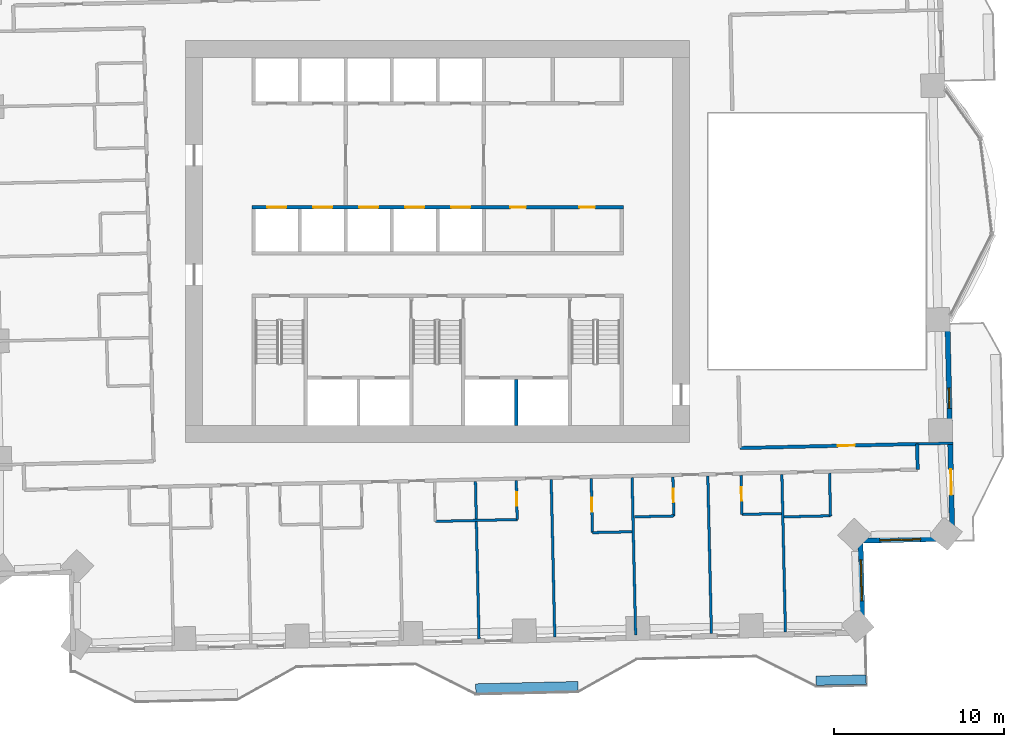
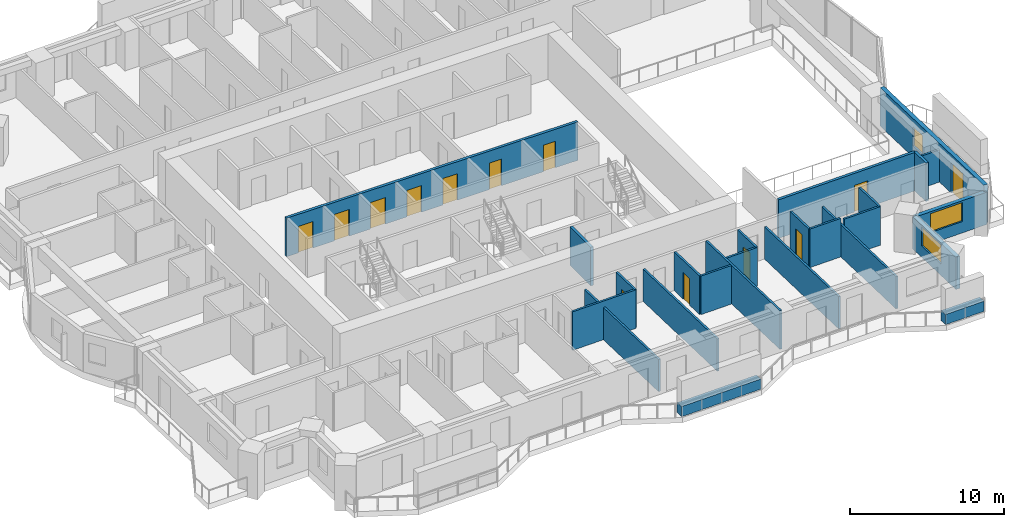
# One storey, part 9 of 17: 25 walls, 13 doors, 3 windows, 16 openings.
"""IFC4 building model written with IfcOpenShell, lengths in metres."""

import ifcopenshell
import ifcopenshell.guid

model = None  # the IFC model being written
_history = None  # IfcOwnerHistory: only IFC2X3 demands one
_inside = {}  # id of a spatial element -> (the spatial element, [elements in it])
_under = {}  # id of a project, library or spatial element -> (it, [spatial elements below it])
_declared = {}  # id of a project -> (the project, [libraries it declares])
_typed = {}  # id of a type object -> (the type object, [elements of that type])
_made_of = {}  # id of a material, layer set ... -> (it, [elements and type objects made of it])


def new_model(schema):
    """Start an empty IFC model of exactly this schema.

    Asked for "IFC4X3", IfcOpenShell would pick the latest addendum, in which some entities
    have other attributes; the version numbers below select the first issue.
    IFC2X3 requires an IfcOwnerHistory on every rooted entity: one is made here for all.
    """
    global model, _history
    if schema == "IFC4X3":
        model = ifcopenshell.file(schema_version=(4, 3, 0, 0))
    else:
        model = ifcopenshell.file(schema=schema)
    _inside.clear()
    _under.clear()
    _declared.clear()
    _typed.clear()
    _made_of.clear()
    _history = None
    if model.schema == "IFC2X3":
        org = make("IfcOrganization", Name="unknown")
        user = make(
            "IfcPersonAndOrganization",
            ThePerson=make("IfcPerson", FamilyName="unknown"),
            TheOrganization=org,
        )
        app = make(
            "IfcApplication",
            ApplicationDeveloper=org,
            Version="unknown",
            ApplicationFullName="unknown",
            ApplicationIdentifier="unknown",
        )
        _history = make(
            "IfcOwnerHistory",
            OwningUser=user,
            OwningApplication=app,
            ChangeAction="ADDED",
            CreationDate=0,
        )
    return model


def make(cls, **values):
    """One entity of the class cls with the attributes given. An attribute that is None is left unset."""
    return model.create_entity(
        cls, **{name: value for name, value in values.items() if value is not None}
    )


def rooted(cls, **values):
    """An entity with a GlobalId (a new one), such as an element, a storey or a relation."""
    return make(cls, GlobalId=ifcopenshell.guid.new(), OwnerHistory=_history, **values)


def si_unit(unit_type, name, prefix=None):
    """IfcSIUnit, for example si_unit("LENGTHUNIT", "METRE", prefix="MILLI")."""
    return make("IfcSIUnit", UnitType=unit_type, Prefix=prefix, Name=name)


def assignment(units):
    """IfcUnitAssignment: the units of a project."""
    return None if units is None else make("IfcUnitAssignment", Units=units)


def point(xyz):
    """IfcCartesianPoint."""
    return None if xyz is None else make("IfcCartesianPoint", Coordinates=xyz)


def direction(xyz):
    """IfcDirection."""
    return None if xyz is None else make("IfcDirection", DirectionRatios=xyz)


def frame(location, z_axis=None, x_axis=None):
    """IfcAxis2Placement3D, a coordinate frame: its origin and axes. An axis left out is left unset."""
    return make(
        "IfcAxis2Placement3D",
        Location=point(location),
        Axis=direction(z_axis),
        RefDirection=direction(x_axis),
    )


def frame_2d(location, x_axis=None):
    """IfcAxis2Placement2D, a coordinate frame in the plane: its origin and x axis."""
    return make(
        "IfcAxis2Placement2D", Location=point(location), RefDirection=direction(x_axis)
    )


def origin():
    """The frame at (0, 0, 0) with its axes left unset."""
    return frame((0.0, 0.0, 0.0))


def place(relative_to, where):
    """IfcLocalPlacement: puts the frame where relative to a parent placement (None: the world)."""
    return make(
        "IfcLocalPlacement", PlacementRelTo=relative_to, RelativePlacement=where
    )


def context(
    kind, dimensions, precision=None, world=None, true_north=None, identifier=None
):
    """IfcGeometricRepresentationContext, for example the 3D "Model" context."""
    return make(
        "IfcGeometricRepresentationContext",
        ContextIdentifier=identifier,
        ContextType=kind,
        CoordinateSpaceDimension=dimensions,
        Precision=precision,
        WorldCoordinateSystem=world,
        TrueNorth=true_north,
    )


def subcontext(parent, identifier, kind, view, scale=None):
    """IfcGeometricRepresentationSubContext, for example "Body" below "Model"."""
    return make(
        "IfcGeometricRepresentationSubContext",
        ContextIdentifier=identifier,
        ContextType=kind,
        ParentContext=parent,
        TargetScale=scale,
        TargetView=view,
    )


def project(units=None, contexts=None):
    """IfcProject with its units and contexts."""
    return rooted(
        "IfcProject",
        Name="project",
        RepresentationContexts=contexts,
        UnitsInContext=assignment(units),
    )


def spatial(cls, under=None, at=None, **own):
    """A site, building, storey or space (cls), placed at a placement, below another one or the project."""
    s = rooted(cls, ObjectPlacement=at, **own)
    if under is not None:
        _under.setdefault(under.id(), (under, []))[1].append(s)
    return s


def profile(cls, at=None, kind="AREA", **sizes):
    """A parametric profile (cls). Its sizes go by their IFC names, for example OverallWidth=200.0."""
    return make(cls, ProfileType=kind, Position=at, **sizes)


def rectangle(**sizes):
    """IfcRectangleProfileDef."""
    return profile("IfcRectangleProfileDef", **sizes)


def extrude(swept, where, along, depth):
    """IfcExtrudedAreaSolid: the profile swept, set in the frame where, extruded along a direction by depth."""
    return make(
        "IfcExtrudedAreaSolid",
        SweptArea=swept,
        Position=where,
        ExtrudedDirection=direction(along),
        Depth=depth,
    )


def shape(context_of_items, identifier, shape_type, items):
    """IfcShapeRepresentation: the items that make up one representation, for example the "Body"."""
    return make(
        "IfcShapeRepresentation",
        ContextOfItems=context_of_items,
        RepresentationIdentifier=identifier,
        RepresentationType=shape_type,
        Items=items,
    )


def material(Name=None, Category=None):
    """IfcMaterial."""
    return make("IfcMaterial", Name=Name, Category=Category)


def layer(
    of_material, thickness, ventilated=None, Name=None, Category=None, Priority=None
):
    """IfcMaterialLayer: one layer of a wall or slab, of a material (None: an air gap)."""
    return make(
        "IfcMaterialLayer",
        Material=of_material,
        LayerThickness=thickness,
        IsVentilated=ventilated,
        Name=Name,
        Category=Category,
        Priority=Priority,
    )


def layer_set(layers, Name=None):
    """IfcMaterialLayerSet."""
    return make("IfcMaterialLayerSet", MaterialLayers=layers, LayerSetName=Name)


def made_of(thing, what):
    """Note that an element or type object is made of a material, layer set ...; save() writes the relation."""
    if what is not None:
        _made_of.setdefault(what.id(), (what, []))[1].append(thing)
    return thing


def type_object(cls, material=None, **own):
    """A type object (cls), such as IfcWallType, which elements share."""
    return made_of(rooted(cls, **own), material)


def element(
    cls,
    number,
    at=None,
    inside=None,
    cuts=None,
    type_object=None,
    material=None,
    context=None,
    identifier="Body",
    shape_type=None,
    held_by="IfcProductDefinitionShape",
    body=None,
    shapes=None,
    **own,
):
    """One element of the class cls, such as IfcWall. Its Tag is "e" and its number.

    at: its placement. inside: the storey or other place that contains it. cuts: it is an
    opening in that element (IfcRelVoidsElement). A single representation is given by context,
    identifier, shape_type and body (its items); several are given by shapes. held_by: the class
    of the entity that holds the representations. save() writes the other relations.
    """
    e = rooted(cls, Tag="e%d" % number, ObjectPlacement=at, **own)
    if body is not None:
        shapes = [shape(context, identifier, shape_type, body)]
    if shapes is not None:
        e.Representation = make(held_by, Representations=shapes)
    if inside is not None:
        _inside.setdefault(inside.id(), (inside, []))[1].append(e)
    if cuts is not None:
        rooted(
            "IfcRelVoidsElement", RelatingBuildingElement=cuts, RelatedOpeningElement=e
        )
    if type_object is not None:
        _typed.setdefault(type_object.id(), (type_object, []))[1].append(e)
    return made_of(e, material)


def fill(opening, filler):
    """IfcRelFillsElement: the door or window that sits in an opening."""
    return rooted(
        "IfcRelFillsElement",
        RelatingOpeningElement=opening,
        RelatedBuildingElement=filler,
    )


def aggregate(whole, parts):
    """IfcRelAggregates: a whole, such as a stair, and the parts it consists of."""
    return rooted("IfcRelAggregates", RelatingObject=whole, RelatedObjects=parts)


def save(model, path):
    """Write the relations noted so far, then the file.

    IfcRelAggregates (storeys below a building ...), IfcRelContainedInSpatialStructure (elements
    in a storey), IfcRelDefinesByType, IfcRelAssociatesMaterial and IfcRelDeclares: one each for
    every whole, place, type object, material and project.
    """
    for whole, parts in _under.values():
        aggregate(whole, parts)
    for where, things in _inside.values():
        rooted(
            "IfcRelContainedInSpatialStructure",
            RelatedElements=things,
            RelatingStructure=where,
        )
    for kind, things in _typed.values():
        rooted("IfcRelDefinesByType", RelatedObjects=things, RelatingType=kind)
    for what, things in _made_of.values():
        rooted("IfcRelAssociatesMaterial", RelatedObjects=things, RelatingMaterial=what)
    for by, libraries in _declared.values():
        rooted("IfcRelDeclares", RelatingContext=by, RelatedDefinitions=libraries)
    model.write(path)


model = new_model("IFC4")

# Units and contexts
model_context = context("Model", 3, precision=1e-05, world=origin(), true_north=direction((0.0, 1.0)))
body_context = subcontext(model_context, "Body", "Model", "MODEL_VIEW")
ifc_project = project(units=[si_unit("LENGTHUNIT", "METRE"), si_unit("AREAUNIT", "SQUARE_METRE"), si_unit("VOLUMEUNIT", "CUBIC_METRE"), si_unit("PLANEANGLEUNIT", "RADIAN"), si_unit("MASSUNIT", "GRAM", prefix="KILO")], contexts=[model_context])

# Site, building, storey
site_placement = place(None, origin())
site = spatial("IfcSite", under=ifc_project, at=site_placement, CompositionType="ELEMENT")
building_placement = place(site_placement, origin())
building = spatial("IfcBuilding", under=site, at=building_placement, Name="Mangrove Gate Tower", CompositionType="ELEMENT")
storey_placement = place(building_placement, frame((0.0, 0.0, 93.699951171875)))
storey = spatial("IfcBuildingStorey", under=building, at=storey_placement, Name="L23", CompositionType="ELEMENT", Elevation=93.699951171875)

# Wall, openings, doors
ifc_material_1 = material(Name="Concrete C70/85", Category="concrete")
ifc_layer_1 = layer(ifc_material_1, 0.199951171875)
ifc_layer_set_1 = layer_set([ifc_layer_1], Name="Core shaft wall 200 C70/85")
wall_type_1 = type_object("IfcWallType", Name="Core shaft wall 200 C70/85", PredefinedType="SHEAR", material=ifc_layer_set_1)
wall_1_placement = place(storey_placement, frame((-10.89990234375, 2.0, 0.0), z_axis=(0.0, 0.0, 1.0), x_axis=(1.0, 0.0, 0.0)))
wall_1 = element("IfcWall", 1, at=wall_1_placement, inside=storey, type_object=wall_type_1, Name="WALL-L23-CORE-7", PredefinedType="SHEAR", context=body_context, shape_type="SweptSolid", body=[
    extrude(rectangle(XDim=21.7998046875, YDim=0.199951171875, at=frame_2d((10.89990234375, 0.0))), origin(), (0.0, 0.0, 1.0), 3.050048828125),
])
opening_1_placement = place(wall_1_placement, frame((0.89990234375, 0.0, 0.0)))
opening_1 = element("IfcOpeningElement", 2, at=opening_1_placement, cuts=wall_1, Name="Opening LD", PredefinedType="OPENING", context=body_context, shape_type="SweptSolid", body=[
    extrude(rectangle(XDim=1.10009765625, YDim=2.10009765625, at=frame_2d((0.550048828125, 1.050048828125))), frame((0.0, 0.10986328125, 0.0), z_axis=(0.0, -1.0, 0.0), x_axis=(1.0, 0.0, 0.0)), (0.0, 0.0, 1.0), 0.219970703125),
])
opening_2_placement = place(wall_1_placement, frame((3.60009765625, 0.0, 0.0)))
opening_2 = element("IfcOpeningElement", 3, at=opening_2_placement, cuts=wall_1, Name="Opening LD", PredefinedType="OPENING", context=body_context, shape_type="SweptSolid", body=[
    extrude(rectangle(XDim=1.10009765625, YDim=2.10009765625, at=frame_2d((0.550048828125, 1.050048828125))), frame((0.0, 0.10986328125, 0.0), z_axis=(0.0, -1.0, 0.0), x_axis=(1.0, 0.0, 0.0)), (0.0, 0.0, 1.0), 0.219970703125),
])
opening_3_placement = place(wall_1_placement, frame((6.300048828125, 0.0, 0.0)))
opening_3 = element("IfcOpeningElement", 4, at=opening_3_placement, cuts=wall_1, Name="Opening LD", PredefinedType="OPENING", context=body_context, shape_type="SweptSolid", body=[
    extrude(rectangle(XDim=1.10009765625, YDim=2.10009765625, at=frame_2d((0.550048828125, 1.050048828125))), frame((0.0, 0.10986328125, 0.0), z_axis=(0.0, -1.0, 0.0), x_axis=(1.0, 0.0, 0.0)), (0.0, 0.0, 1.0), 0.219970703125),
])
opening_4_placement = place(wall_1_placement, frame((9.0, 0.0, 0.0)))
opening_4 = element("IfcOpeningElement", 5, at=opening_4_placement, cuts=wall_1, Name="Opening LD", PredefinedType="OPENING", context=body_context, shape_type="SweptSolid", body=[
    extrude(rectangle(XDim=1.10009765625, YDim=2.10009765625, at=frame_2d((0.550048828125, 1.050048828125))), frame((0.0, 0.10986328125, 0.0), z_axis=(0.0, -1.0, 0.0), x_axis=(1.0, 0.0, 0.0)), (0.0, 0.0, 1.0), 0.219970703125),
])
opening_5_placement = place(wall_1_placement, frame((11.699951171875, 0.0, 0.0)))
opening_5 = element("IfcOpeningElement", 6, at=opening_5_placement, cuts=wall_1, Name="Opening LD", PredefinedType="OPENING", context=body_context, shape_type="SweptSolid", body=[
    extrude(rectangle(XDim=1.10009765625, YDim=2.10009765625, at=frame_2d((0.550048828125, 1.050048828125))), frame((0.0, 0.10986328125, 0.0), z_axis=(0.0, -1.0, 0.0), x_axis=(1.0, 0.0, 0.0)), (0.0, 0.0, 1.0), 0.219970703125),
])
opening_6_placement = place(wall_1_placement, frame((15.175048828125, 0.0, 0.0)))
opening_6 = element("IfcOpeningElement", 7, at=opening_6_placement, cuts=wall_1, Name="Opening RD", PredefinedType="OPENING", context=body_context, shape_type="SweptSolid", body=[
    extrude(rectangle(XDim=0.89990234375, YDim=2.10009765625, at=frame_2d((0.449951171875, 1.050048828125))), frame((0.0, 0.10986328125, 0.0), z_axis=(0.0, -1.0, 0.0), x_axis=(1.0, 0.0, 0.0)), (0.0, 0.0, 1.0), 0.219970703125),
])
opening_7_placement = place(wall_1_placement, frame((19.22509765625, 0.0, 0.0)))
opening_7 = element("IfcOpeningElement", 8, at=opening_7_placement, cuts=wall_1, Name="Opening RD", PredefinedType="OPENING", context=body_context, shape_type="SweptSolid", body=[
    extrude(rectangle(XDim=0.89990234375, YDim=2.10009765625, at=frame_2d((0.449951171875, 1.050048828125))), frame((0.0, 0.10986328125, 0.0), z_axis=(0.0, -1.0, 0.0), x_axis=(1.0, 0.0, 0.0)), (0.0, 0.0, 1.0), 0.219970703125),
])
ifc_material_2 = material(Name="Stainless steel 316", Category="steel")
door_type_1 = type_object("IfcDoorType", Name="Lift landing door 1100x2100", OperationType="SLIDING_TO_LEFT", PredefinedType="DOOR", material=ifc_material_2)
door_1_placement = place(opening_1_placement, origin())
door_1 = element("IfcDoor", 9, at=door_1_placement, inside=storey, type_object=door_type_1, Name="Landing door LD P01", OperationType="SLIDING_TO_LEFT", OverallHeight=2.10009765625, OverallWidth=1.10009765625, PredefinedType="DOOR", context=body_context, shape_type="SweptSolid", body=[
    extrude(rectangle(XDim=1.10009765625, YDim=2.10009765625, at=frame_2d((0.550048828125, 1.050048828125))), frame((0.0, 0.02490234375, 0.0), z_axis=(0.0, -1.0, 0.0), x_axis=(1.0, 0.0, 0.0)), (0.0, 0.0, 1.0), 0.050048828125),
])
fill(opening_1, door_1)
door_2_placement = place(opening_2_placement, origin())
door_2 = element("IfcDoor", 10, at=door_2_placement, inside=storey, type_object=door_type_1, Name="Landing door LD P02", OperationType="SLIDING_TO_LEFT", OverallHeight=2.10009765625, OverallWidth=1.10009765625, PredefinedType="DOOR", context=body_context, shape_type="SweptSolid", body=[
    extrude(rectangle(XDim=1.10009765625, YDim=2.10009765625, at=frame_2d((0.550048828125, 1.050048828125))), frame((0.0, 0.02490234375, 0.0), z_axis=(0.0, -1.0, 0.0), x_axis=(1.0, 0.0, 0.0)), (0.0, 0.0, 1.0), 0.050048828125),
])
fill(opening_2, door_2)
door_3_placement = place(opening_3_placement, origin())
door_3 = element("IfcDoor", 11, at=door_3_placement, inside=storey, type_object=door_type_1, Name="Landing door LD P03", OperationType="SLIDING_TO_LEFT", OverallHeight=2.10009765625, OverallWidth=1.10009765625, PredefinedType="DOOR", context=body_context, shape_type="SweptSolid", body=[
    extrude(rectangle(XDim=1.10009765625, YDim=2.10009765625, at=frame_2d((0.550048828125, 1.050048828125))), frame((0.0, 0.02490234375, 0.0), z_axis=(0.0, -1.0, 0.0), x_axis=(1.0, 0.0, 0.0)), (0.0, 0.0, 1.0), 0.050048828125),
])
fill(opening_3, door_3)
door_4_placement = place(opening_4_placement, origin())
door_4 = element("IfcDoor", 12, at=door_4_placement, inside=storey, type_object=door_type_1, Name="Landing door LD P04", OperationType="SLIDING_TO_LEFT", OverallHeight=2.10009765625, OverallWidth=1.10009765625, PredefinedType="DOOR", context=body_context, shape_type="SweptSolid", body=[
    extrude(rectangle(XDim=1.10009765625, YDim=2.10009765625, at=frame_2d((0.550048828125, 1.050048828125))), frame((0.0, 0.02490234375, 0.0), z_axis=(0.0, -1.0, 0.0), x_axis=(1.0, 0.0, 0.0)), (0.0, 0.0, 1.0), 0.050048828125),
])
fill(opening_4, door_4)
door_5_placement = place(opening_5_placement, origin())
door_5 = element("IfcDoor", 13, at=door_5_placement, inside=storey, type_object=door_type_1, Name="Landing door LD P05", OperationType="SLIDING_TO_LEFT", OverallHeight=2.10009765625, OverallWidth=1.10009765625, PredefinedType="DOOR", context=body_context, shape_type="SweptSolid", body=[
    extrude(rectangle(XDim=1.10009765625, YDim=2.10009765625, at=frame_2d((0.550048828125, 1.050048828125))), frame((0.0, 0.02490234375, 0.0), z_axis=(0.0, -1.0, 0.0), x_axis=(1.0, 0.0, 0.0)), (0.0, 0.0, 1.0), 0.050048828125),
])
fill(opening_5, door_5)
ifc_material_3 = material(Name="Fire-rated steel door set", Category="steel")
door_type_2 = type_object("IfcDoorType", Name="Riser door FD30S 900x2100", OperationType="SINGLE_SWING_LEFT", PredefinedType="DOOR", material=ifc_material_3)
door_6_placement = place(opening_6_placement, origin())
door_6 = element("IfcDoor", 14, at=door_6_placement, inside=storey, type_object=door_type_2, Name="Riser door Switch room", OperationType="SINGLE_SWING_LEFT", OverallHeight=2.10009765625, OverallWidth=0.89990234375, PredefinedType="DOOR", context=body_context, shape_type="SweptSolid", body=[
    extrude(rectangle(XDim=0.89990234375, YDim=2.10009765625, at=frame_2d((0.449951171875, 1.050048828125))), frame((0.0, 0.02490234375, 0.0), z_axis=(0.0, -1.0, 0.0), x_axis=(1.0, 0.0, 0.0)), (0.0, 0.0, 1.0), 0.050048828125),
])
fill(opening_6, door_6)
door_7_placement = place(opening_7_placement, origin())
door_7 = element("IfcDoor", 15, at=door_7_placement, inside=storey, type_object=door_type_2, Name="Riser door Comms room", OperationType="SINGLE_SWING_LEFT", OverallHeight=2.10009765625, OverallWidth=0.89990234375, PredefinedType="DOOR", context=body_context, shape_type="SweptSolid", body=[
    extrude(rectangle(XDim=0.89990234375, YDim=2.10009765625, at=frame_2d((0.449951171875, 1.050048828125))), frame((0.0, 0.02490234375, 0.0), z_axis=(0.0, -1.0, 0.0), x_axis=(1.0, 0.0, 0.0)), (0.0, 0.0, 1.0), 0.050048828125),
])
fill(opening_7, door_7)

# Walls
wall_2_placement = place(storey_placement, frame((4.625, -10.800048828125, 0.0), z_axis=(0.0, 0.0, 1.0), x_axis=(0.0, 1.0, 0.0)))
element("IfcWall", 16, at=wall_2_placement, inside=storey, type_object=wall_type_1, Name="WALL-L23-CORE-18", PredefinedType="SHEAR", context=body_context, shape_type="SweptSolid", body=[
    extrude(rectangle(XDim=2.699951171875, YDim=0.199951171875, at=frame_2d((1.35009765625, 0.0))), origin(), (0.0, 0.0, 1.0), 3.050048828125),
])
ifc_material_4 = material(Name="Gypsum board on steel stud, EI 60", Category="steel")
ifc_layer_2 = layer(ifc_material_4, 0.199951171875)
ifc_layer_set_2 = layer_set([ifc_layer_2], Name="Corridor wall EI 60")
wall_type_2 = type_object("IfcWallType", Name="Corridor wall EI 60", PredefinedType="PARTITIONING", material=ifc_layer_set_2)
wall_3_placement = place(storey_placement, frame((28.18798828125, -13.40087890625, 0.0), z_axis=(0.0, 0.0, 1.0), x_axis=(-0.022617910375, 0.999744182344, 0.0)))
element("IfcWall", 17, at=wall_3_placement, inside=storey, type_object=wall_type_2, Name="WALL-L23-031", PredefinedType="PARTITIONING", context=body_context, shape_type="SweptSolid", body=[
    extrude(rectangle(XDim=1.50048828125, YDim=0.199951171875, at=frame_2d((0.750244140625, 0.0))), origin(), (0.0, 0.0, 1.0), 3.050048828125),
])

# Wall, opening, door
wall_4_placement = place(storey_placement, frame((17.7529296875, -12.136962890625, 0.0), z_axis=(0.0, 0.0, 1.0), x_axis=(0.999742295888, 0.022701141223, 0.0)))
wall_4 = element("IfcWall", 18, at=wall_4_placement, inside=storey, type_object=wall_type_2, Name="WALL-L23-035", PredefinedType="PARTITIONING", context=body_context, shape_type="SweptSolid", body=[
    extrude(rectangle(XDim=10.399658203125, YDim=0.199951171875, at=frame_2d((5.19970703125, 0.0))), origin(), (0.0, 0.0, 1.0), 3.050048828125),
])
opening_8_placement = place(wall_4_placement, frame((5.75, 0.0, 0.0)))
opening_8 = element("IfcOpeningElement", 19, at=opening_8_placement, cuts=wall_4, Name="Opening AD", PredefinedType="OPENING", context=body_context, shape_type="SweptSolid", body=[
    extrude(rectangle(XDim=1.0, YDim=2.10009765625, at=frame_2d((0.5, 1.050048828125))), frame((0.0, 0.10986328125, 0.0), z_axis=(0.0, -1.0, 0.0), x_axis=(1.0, 0.0, 0.0)), (0.0, 0.0, 1.0), 0.219970703125),
])
ifc_material_5 = material(Name="Timber door leaf", Category="wood")
door_type_3 = type_object("IfcDoorType", Name="Amenity door 1000", OperationType="SINGLE_SWING_LEFT", PredefinedType="DOOR", material=ifc_material_5)
door_8_placement = place(opening_8_placement, origin())
door_8 = element("IfcDoor", 20, at=door_8_placement, inside=storey, type_object=door_type_3, Name="DOOR-L23-GAM-c3a", OperationType="SINGLE_SWING_LEFT", OverallHeight=2.10009765625, OverallWidth=1.0, PredefinedType="DOOR", context=body_context, shape_type="SweptSolid", body=[
    extrude(rectangle(XDim=1.0, YDim=2.10009765625, at=frame_2d((0.5, 1.050048828125))), frame((0.0, 0.02490234375, 0.0), z_axis=(0.0, -1.0, 0.0), x_axis=(1.0, 0.0, 0.0)), (0.0, 0.0, 1.0), 0.050048828125),
])
fill(opening_8, door_8)

# Wall, openings, door, window
ifc_material_6 = material(Name="Limestone", Category="masonry")
ifc_layer_3 = layer(ifc_material_6, 0.0400390625, Name="Limestone cladding")
ifc_material_7 = material(Name="Ventilated air gap")
ifc_layer_4 = layer(ifc_material_7, 0.0400390625, Name="Ventilated cavity")
ifc_material_8 = material(Name="Mineral wool insulation")
ifc_layer_5 = layer(ifc_material_8, 0.06005859375, Name="Insulation")
ifc_material_9 = material(Name="Breather membrane")
ifc_layer_6 = layer(ifc_material_9, 0.001953125, Name="Breather membrane")
ifc_material_10 = material(Name="Concrete C20/25 blockwork", Category="masonry")
ifc_layer_7 = layer(ifc_material_10, 0.14990234375, Name="Blockwork backing wall")
ifc_material_11 = material(Name="Gypsum plaster")
ifc_layer_8 = layer(ifc_material_11, 0.008056640625, Name="Internal plaster")
ifc_layer_set_3 = layer_set([ifc_layer_3, ifc_layer_4, ifc_layer_5, ifc_layer_6, ifc_layer_7, ifc_layer_8], Name="External wall 300 limestone cladding")
wall_type_3 = type_object("IfcWallType", Name="External wall 300 limestone cladding", PredefinedType="SOLIDWALL", material=ifc_layer_set_3)
wall_5_placement = place(storey_placement, frame((30.22705078125, -17.455078125, 0.0), z_axis=(0.0, 0.0, 1.0), x_axis=(-0.022734702163, 0.999741533256, 0.0)))
wall_5 = element("IfcWall", 21, at=wall_5_placement, inside=storey, type_object=wall_type_3, Name="WALL-L23-E0", PredefinedType="SOLIDWALL", context=body_context, shape_type="SweptSolid", body=[
    extrude(rectangle(XDim=12.929443359375, YDim=0.300048828125, at=frame_2d((6.46484375, 0.0))), origin(), (0.0, 0.0, 1.0), 3.050048828125),
])
opening_9_placement = place(wall_5_placement, frame((2.56591796875, 0.0, 0.0)))
opening_9 = element("IfcOpeningElement", 22, at=opening_9_placement, cuts=wall_5, Name="Opening BD1", PredefinedType="OPENING", context=body_context, shape_type="SweptSolid", body=[
    extrude(rectangle(XDim=1.5, YDim=2.39990234375, at=frame_2d((0.75, 1.199951171875))), frame((0.0, 0.159912109375, 0.0), z_axis=(0.0, -1.0, 0.0), x_axis=(1.0, 0.0, 0.0)), (0.0, 0.0, 1.0), 0.320068359375),
])
opening_10_placement = place(wall_5_placement, frame((7.64599609375, 0.0, 0.89990234375)))
opening_10 = element("IfcOpeningElement", 23, at=opening_10_placement, cuts=wall_5, Name="Opening W1", PredefinedType="OPENING", context=body_context, shape_type="SweptSolid", body=[
    extrude(rectangle(XDim=1.199951171875, YDim=1.5, at=frame_2d((0.60009765625, 0.75))), frame((0.0, 0.159912109375, 0.0), z_axis=(0.0, -1.0, 0.0), x_axis=(1.0, 0.0, 0.0)), (0.0, 0.0, 1.0), 0.320068359375),
])
ifc_material_12 = material(Name="Aluminium frame with laminated clear glass", Category="aluminium")
door_type_4 = type_object("IfcDoorType", Name="Balcony sliding door 1500x2400", OperationType="SLIDING_TO_LEFT", PredefinedType="DOOR", material=ifc_material_12)
door_9_placement = place(opening_9_placement, origin())
door_9 = element("IfcDoor", 24, at=door_9_placement, inside=storey, type_object=door_type_4, Name="DOOR-L23-E0-1", OperationType="SLIDING_TO_LEFT", OverallHeight=2.39990234375, OverallWidth=1.5, PredefinedType="DOOR", context=body_context, shape_type="SweptSolid", body=[
    extrude(rectangle(XDim=1.5, YDim=2.39990234375, at=frame_2d((0.75, 1.199951171875))), frame((0.0, 0.02490234375, 0.0), z_axis=(0.0, -1.0, 0.0), x_axis=(1.0, 0.0, 0.0)), (0.0, 0.0, 1.0), 0.050048828125),
])
fill(opening_9, door_9)
ifc_material_13 = material(Name="Aluminium frame with double-glazed low-e glass", Category="aluminium")
window_type_1 = type_object("IfcWindowType", Name="Side lite 1200x1500", PartitioningType="SINGLE_PANEL", PredefinedType="WINDOW", material=ifc_material_13)
window_1_placement = place(opening_10_placement, origin())
window_1 = element("IfcWindow", 25, at=window_1_placement, inside=storey, type_object=window_type_1, Name="WIN-L23-E0-2", OverallHeight=1.5, OverallWidth=1.199951171875, PartitioningType="SINGLE_PANEL", PredefinedType="WINDOW", context=body_context, shape_type="SweptSolid", body=[
    extrude(rectangle(XDim=1.199951171875, YDim=1.5, at=frame_2d((0.60009765625, 0.75))), frame((0.0, 0.030029296875, 0.0), z_axis=(0.0, -1.0, 0.0), x_axis=(1.0, 0.0, 0.0)), (0.0, 0.0, 1.0), 0.06005859375),
])
fill(opening_10, window_1)

# Wall, opening, window
wall_6_placement = place(storey_placement, frame((24.950927734375, -22.97705078125, 0.0), z_axis=(0.0, 0.0, 1.0), x_axis=(-0.022784045517, 0.999740409941, 0.0)))
wall_6 = element("IfcWall", 26, at=wall_6_placement, inside=storey, type_object=wall_type_3, Name="WALL-L23-E14", PredefinedType="SOLIDWALL", context=body_context, shape_type="SweptSolid", body=[
    extrude(rectangle(XDim=5.400634765625, YDim=0.300048828125, at=frame_2d((2.7001953125, 0.0))), origin(), (0.0, 0.0, 1.0), 2.550048828125),
])
opening_11_placement = place(wall_6_placement, frame((1.866943359375, 0.0, 0.89990234375)))
opening_11 = element("IfcOpeningElement", 27, at=opening_11_placement, cuts=wall_6, Name="Opening W2", PredefinedType="OPENING", context=body_context, shape_type="SweptSolid", body=[
    extrude(rectangle(XDim=2.39990234375, YDim=1.5, at=frame_2d((1.199951171875, 0.75))), frame((0.0, 0.159912109375, 0.0), z_axis=(0.0, -1.0, 0.0), x_axis=(1.0, 0.0, 0.0)), (0.0, 0.0, 1.0), 0.320068359375),
])
ifc_material_14 = material(Name="Aluminium frame with double-glazed low-e glass", Category="aluminium")
window_type_2 = type_object("IfcWindowType", Name="Corner room window 2400x1500", PartitioningType="DOUBLE_PANEL_VERTICAL", PredefinedType="WINDOW", material=ifc_material_14)
window_2_placement = place(opening_11_placement, origin())
window_2 = element("IfcWindow", 28, at=window_2_placement, inside=storey, type_object=window_type_2, Name="WIN-L23-E14-1", OverallHeight=1.5, OverallWidth=2.39990234375, PartitioningType="DOUBLE_PANEL_VERTICAL", PredefinedType="WINDOW", context=body_context, shape_type="SweptSolid", body=[
    extrude(rectangle(XDim=2.39990234375, YDim=1.5, at=frame_2d((1.199951171875, 0.75))), frame((0.0, 0.030029296875, 0.0), z_axis=(0.0, -1.0, 0.0), x_axis=(1.0, 0.0, 0.0)), (0.0, 0.0, 1.0), 0.06005859375),
])
fill(opening_11, window_2)

wall_7_placement = place(storey_placement, frame((24.827880859375, -17.577880859375, 0.0), z_axis=(0.0, 0.0, 1.0), x_axis=(0.99974143864, 0.022738862475, 0.0)))
wall_7 = element("IfcWall", 29, at=wall_7_placement, inside=storey, type_object=wall_type_3, Name="WALL-L23-S15", PredefinedType="SOLIDWALL", context=body_context, shape_type="SweptSolid", body=[
    extrude(rectangle(XDim=5.400634765625, YDim=0.300048828125, at=frame_2d((2.7001953125, 0.0))), origin(), (0.0, 0.0, 1.0), 2.550048828125),
])
opening_12_placement = place(wall_7_placement, frame((1.135009765625, 0.0, 0.89990234375)))
opening_12 = element("IfcOpeningElement", 30, at=opening_12_placement, cuts=wall_7, Name="Opening W2", PredefinedType="OPENING", context=body_context, shape_type="SweptSolid", body=[
    extrude(rectangle(XDim=2.39990234375, YDim=1.5, at=frame_2d((1.199951171875, 0.75))), frame((0.0, 0.159912109375, 0.0), z_axis=(0.0, -1.0, 0.0), x_axis=(1.0, 0.0, 0.0)), (0.0, 0.0, 1.0), 0.320068359375),
])
window_3_placement = place(opening_12_placement, origin())
window_3 = element("IfcWindow", 31, at=window_3_placement, inside=storey, type_object=window_type_2, Name="WIN-L23-S15-1", OverallHeight=1.5, OverallWidth=2.39990234375, PartitioningType="DOUBLE_PANEL_VERTICAL", PredefinedType="WINDOW", context=body_context, shape_type="SweptSolid", body=[
    extrude(rectangle(XDim=2.39990234375, YDim=1.5, at=frame_2d((1.199951171875, 0.75))), frame((0.0, 0.030029296875, 0.0), z_axis=(0.0, -1.0, 0.0), x_axis=(1.0, 0.0, 0.0)), (0.0, 0.0, 1.0), 0.06005859375),
])
fill(opening_12, window_3)

# Walls
ifc_material_15 = material(Name="Gypsum board on steel stud, EI 60", Category="steel")
ifc_layer_9 = layer(ifc_material_15, 0.14990234375)
ifc_layer_set_4 = layer_set([ifc_layer_9], Name="Party wall 150 EI 60")
wall_type_4 = type_object("IfcWallType", Name="Party wall 150 EI 60", PredefinedType="PARTITIONING", material=ifc_layer_set_4)
wall_8_placement = place(storey_placement, frame((2.427001953125, -23.337890625, 0.0), z_axis=(0.0, 0.0, 1.0), x_axis=(-0.022698023584, 0.999742366675, 0.0)))
element("IfcWall", 32, at=wall_8_placement, inside=storey, type_object=wall_type_4, Name="WALL-L23-005", PredefinedType="PARTITIONING", context=body_context, shape_type="SweptSolid", body=[
    extrude(rectangle(XDim=9.250244140625, YDim=0.14990234375, at=frame_2d((4.625, 0.0))), origin(), (0.0, 0.0, 1.0), 2.550048828125),
])
wall_9_placement = place(storey_placement, frame((6.8759765625, -23.237060546875, 0.0), z_axis=(0.0, 0.0, 1.0), x_axis=(-0.022697424684, 0.999742380272, 0.0)))
element("IfcWall", 33, at=wall_9_placement, inside=storey, type_object=wall_type_4, Name="WALL-L23-006", PredefinedType="PARTITIONING", context=body_context, shape_type="SweptSolid", body=[
    extrude(rectangle(XDim=9.25048828125, YDim=0.14990234375, at=frame_2d((4.625244140625, 0.0))), origin(), (0.0, 0.0, 1.0), 2.550048828125),
])
wall_10_placement = place(storey_placement, frame((11.625, -23.12890625, 0.0), z_axis=(0.0, 0.0, 1.0), x_axis=(-0.022698023584, 0.999742366675, 0.0)))
element("IfcWall", 34, at=wall_10_placement, inside=storey, type_object=wall_type_4, Name="WALL-L23-007", PredefinedType="PARTITIONING", context=body_context, shape_type="SweptSolid", body=[
    extrude(rectangle(XDim=9.250244140625, YDim=0.14990234375, at=frame_2d((4.625, 0.0))), origin(), (0.0, 0.0, 1.0), 3.050048828125),
])
for number, where, z_axis, x_axis, name in (
    (35, (16.073974609375, -23.028076171875, 0.0), (0.0, 0.0, 1.0), (-0.022697424684, 0.999742380272, 0.0), "WALL-L23-008"),
    (36, (20.422119140625, -22.929931640625, 0.0), (0.0, 0.0, 1.0), (-0.022618288198, 0.999744173796, 0.0), "WALL-L23-009"),
):
    element("IfcWall", number, at=place(storey_placement, frame(where, z_axis=z_axis, x_axis=x_axis)), inside=storey, type_object=wall_type_4, Name=name, PredefinedType="PARTITIONING", context=body_context, shape_type="SweptSolid", body=[
        extrude(rectangle(XDim=9.25048828125, YDim=0.14990234375, at=frame_2d((4.625244140625, 0.0))), origin(), (0.0, 0.0, 1.0), 2.550048828125),
    ])

# Wall, opening, door
wall_11_placement = place(storey_placement, frame((9.0869140625, -17.10498046875, 0.0), z_axis=(0.0, 0.0, 1.0), x_axis=(-0.022336490581, 0.999750509471, 0.0)))
wall_11 = element("IfcWall", 37, at=wall_11_placement, inside=storey, type_object=wall_type_4, Name="WALL-L23-010", PredefinedType="PARTITIONING", context=body_context, shape_type="SweptSolid", body=[
    extrude(rectangle(XDim=3.169677734375, YDim=0.14990234375, at=frame_2d((1.5849609375, 0.0))), origin(), (0.0, 0.0, 1.0), 3.050048828125),
])
opening_13_placement = place(wall_11_placement, frame((1.235107421875, 0.0, 0.0)))
opening_13 = element("IfcOpeningElement", 38, at=opening_13_placement, cuts=wall_11, Name="Opening ED", PredefinedType="OPENING", context=body_context, shape_type="SweptSolid", body=[
    extrude(rectangle(XDim=0.800048828125, YDim=2.10009765625, at=frame_2d((0.39990234375, 1.050048828125))), frame((0.0, 0.0849609375, 0.0), z_axis=(0.0, -1.0, 0.0), x_axis=(1.0, 0.0, 0.0)), (0.0, 0.0, 1.0), 0.169921875),
])
ifc_material_16 = material(Name="Timber door leaf", Category="wood")
door_type_5 = type_object("IfcDoorType", Name="En-suite door 800", OperationType="SINGLE_SWING_LEFT", PredefinedType="DOOR", material=ifc_material_16)
door_10_placement = place(opening_13_placement, origin())
door_10 = element("IfcDoor", 39, at=door_10_placement, inside=storey, type_object=door_type_5, Name="DOOR-L23-ENS-c206", OperationType="SINGLE_SWING_RIGHT", OverallHeight=2.10009765625, OverallWidth=0.800048828125, PredefinedType="DOOR", context=body_context, shape_type="SweptSolid", body=[
    extrude(rectangle(XDim=0.800048828125, YDim=2.10009765625, at=frame_2d((0.39990234375, 1.050048828125))), frame((0.0, 0.02490234375, 0.0), z_axis=(0.0, -1.0, 0.0), x_axis=(1.0, 0.0, 0.0)), (0.0, 0.0, 1.0), 0.050048828125),
])
fill(opening_13, door_10)

# Walls
wall_12_placement = place(storey_placement, frame((9.091064453125, -17.10498046875, 0.0), z_axis=(0.0, 0.0, 1.0), x_axis=(0.999740478815, 0.022781023197, 0.0)))
element("IfcWall", 40, at=wall_12_placement, inside=storey, type_object=wall_type_4, Name="WALL-L23-011", PredefinedType="PARTITIONING", context=body_context, shape_type="SweptSolid", body=[
    extrude(rectangle(XDim=2.325439453125, YDim=0.14990234375, at=frame_2d((1.16259765625, 0.0))), origin(), (0.0, 0.0, 1.0), 3.050048828125),
])
wall_13_placement = place(storey_placement, frame((20.347900390625, -16.178955078125, 0.0), z_axis=(0.0, 0.0, 1.0), x_axis=(0.999741187782, 0.022749889061, 0.0)))
element("IfcWall", 41, at=wall_13_placement, inside=storey, type_object=wall_type_4, Name="WALL-L23-014", PredefinedType="PARTITIONING", context=body_context, shape_type="SweptSolid", body=[
    extrude(rectangle(XDim=2.725830078125, YDim=0.14990234375, at=frame_2d((1.36279296875, 0.0))), origin(), (0.0, 0.0, 1.0), 3.050048828125),
])
wall_14_placement = place(storey_placement, frame((23.069091796875, -16.117919921875, 0.0), z_axis=(0.0, 0.0, 1.0), x_axis=(-0.022845598362, 0.999739005259, 0.0)))
element("IfcWall", 42, at=wall_14_placement, inside=storey, type_object=wall_type_4, Name="WALL-L23-015", PredefinedType="PARTITIONING", context=body_context, shape_type="SweptSolid", body=[
    extrude(rectangle(XDim=2.500732421875, YDim=0.14990234375, at=frame_2d((1.25048828125, 0.0))), origin(), (0.0, 0.0, 1.0), 3.050048828125),
])
wall_15_placement = place(storey_placement, frame((-0.1259765625, -16.444091796875, 0.0), z_axis=(0.0, 0.0, 1.0), x_axis=(0.99974154664, 0.022734113616, 0.0)))
element("IfcWall", 43, at=wall_15_placement, inside=storey, type_object=wall_type_4, Name="WALL-L23-021", PredefinedType="PARTITIONING", context=body_context, shape_type="SweptSolid", body=[
    extrude(rectangle(XDim=4.80029296875, YDim=0.14990234375, at=frame_2d((2.400146484375, 0.0))), origin(), (0.0, 0.0, 1.0), 3.050048828125),
])

# Wall, opening, door
wall_16_placement = place(storey_placement, frame((4.6689453125, -16.3349609375, 0.0), z_axis=(0.0, 0.0, 1.0), x_axis=(-0.022612884682, 0.999744296031, 0.0)))
wall_16 = element("IfcWall", 44, at=wall_16_placement, inside=storey, type_object=wall_type_4, Name="WALL-L23-022", PredefinedType="PARTITIONING", context=body_context, shape_type="SweptSolid", body=[
    extrude(rectangle(XDim=2.299560546875, YDim=0.14990234375, at=frame_2d((1.14990234375, 0.0))), origin(), (0.0, 0.0, 1.0), 3.050048828125),
])
opening_14_placement = place(wall_16_placement, frame((0.800048828125, 0.0, 0.0)))
opening_14 = element("IfcOpeningElement", 45, at=opening_14_placement, cuts=wall_16, Name="Opening ED", PredefinedType="OPENING", context=body_context, shape_type="SweptSolid", body=[
    extrude(rectangle(XDim=0.800048828125, YDim=2.10009765625, at=frame_2d((0.39990234375, 1.050048828125))), frame((0.0, 0.0849609375, 0.0), z_axis=(0.0, -1.0, 0.0), x_axis=(1.0, 0.0, 0.0)), (0.0, 0.0, 1.0), 0.169921875),
])
door_11_placement = place(opening_14_placement, origin())
door_11 = element("IfcDoor", 46, at=door_11_placement, inside=storey, type_object=door_type_5, Name="DOOR-L23-ENS-c205", OperationType="SINGLE_SWING_LEFT", OverallHeight=2.10009765625, OverallWidth=0.800048828125, PredefinedType="DOOR", context=body_context, shape_type="SweptSolid", body=[
    extrude(rectangle(XDim=0.800048828125, YDim=2.10009765625, at=frame_2d((0.39990234375, 1.050048828125))), frame((0.0, 0.02490234375, 0.0), z_axis=(0.0, -1.0, 0.0), x_axis=(1.0, 0.0, 0.0)), (0.0, 0.0, 1.0), 0.050048828125),
])
fill(opening_14, door_11)

# Wall
wall_17_placement = place(storey_placement, frame((11.5458984375, -16.178955078125, 0.0), z_axis=(0.0, 0.0, 1.0), x_axis=(0.99974031529, 0.022788198363, 0.0)))
element("IfcWall", 47, at=wall_17_placement, inside=storey, type_object=wall_type_4, Name="WALL-L23-023", PredefinedType="PARTITIONING", context=body_context, shape_type="SweptSolid", body=[
    extrude(rectangle(XDim=2.32470703125, YDim=0.14990234375, at=frame_2d((1.162353515625, 0.0))), origin(), (0.0, 0.0, 1.0), 3.050048828125),
])

# Wall, opening, door
wall_18_placement = place(storey_placement, frame((13.865966796875, -16.1259765625, 0.0), z_axis=(0.0, 0.0, 1.0), x_axis=(-0.022612884682, 0.999744296031, 0.0)))
wall_18 = element("IfcWall", 48, at=wall_18_placement, inside=storey, type_object=wall_type_4, Name="WALL-L23-024", PredefinedType="PARTITIONING", context=body_context, shape_type="SweptSolid", body=[
    extrude(rectangle(XDim=2.299560546875, YDim=0.14990234375, at=frame_2d((1.14990234375, 0.0))), origin(), (0.0, 0.0, 1.0), 3.050048828125),
])
opening_15_placement = place(wall_18_placement, frame((0.800048828125, 0.0, 0.0)))
opening_15 = element("IfcOpeningElement", 49, at=opening_15_placement, cuts=wall_18, Name="Opening ED", PredefinedType="OPENING", context=body_context, shape_type="SweptSolid", body=[
    extrude(rectangle(XDim=0.800048828125, YDim=2.10009765625, at=frame_2d((0.39990234375, 1.050048828125))), frame((0.0, 0.0849609375, 0.0), z_axis=(0.0, -1.0, 0.0), x_axis=(1.0, 0.0, 0.0)), (0.0, 0.0, 1.0), 0.169921875),
])
door_12_placement = place(opening_15_placement, origin())
door_12 = element("IfcDoor", 50, at=door_12_placement, inside=storey, type_object=door_type_5, Name="DOOR-L23-ENS-c207", OperationType="SINGLE_SWING_LEFT", OverallHeight=2.10009765625, OverallWidth=0.800048828125, PredefinedType="DOOR", context=body_context, shape_type="SweptSolid", body=[
    extrude(rectangle(XDim=0.800048828125, YDim=2.10009765625, at=frame_2d((0.39990234375, 1.050048828125))), frame((0.0, 0.02490234375, 0.0), z_axis=(0.0, -1.0, 0.0), x_axis=(1.0, 0.0, 0.0)), (0.0, 0.0, 1.0), 0.050048828125),
])
fill(opening_15, door_12)

wall_19_placement = place(storey_placement, frame((17.864990234375, -16.035888671875, 0.0), z_axis=(0.0, 0.0, 1.0), x_axis=(-0.022605686808, 0.999744458811, 0.0)))
wall_19 = element("IfcWall", 51, at=wall_19_placement, inside=storey, type_object=wall_type_4, Name="WALL-L23-025", PredefinedType="PARTITIONING", context=body_context, shape_type="SweptSolid", body=[
    extrude(rectangle(XDim=2.30029296875, YDim=0.14990234375, at=frame_2d((1.150146484375, 0.0))), origin(), (0.0, 0.0, 1.0), 3.050048828125),
])
opening_16_placement = place(wall_19_placement, frame((0.800048828125, 0.0, 0.0)))
opening_16 = element("IfcOpeningElement", 52, at=opening_16_placement, cuts=wall_19, Name="Opening ED", PredefinedType="OPENING", context=body_context, shape_type="SweptSolid", body=[
    extrude(rectangle(XDim=0.800048828125, YDim=2.10009765625, at=frame_2d((0.39990234375, 1.050048828125))), frame((0.0, 0.0849609375, 0.0), z_axis=(0.0, -1.0, 0.0), x_axis=(1.0, 0.0, 0.0)), (0.0, 0.0, 1.0), 0.169921875),
])
door_13_placement = place(opening_16_placement, origin())
door_13 = element("IfcDoor", 53, at=door_13_placement, inside=storey, type_object=door_type_5, Name="DOOR-L23-ENS-c308", OperationType="SINGLE_SWING_RIGHT", OverallHeight=2.10009765625, OverallWidth=0.800048828125, PredefinedType="DOOR", context=body_context, shape_type="SweptSolid", body=[
    extrude(rectangle(XDim=0.800048828125, YDim=2.10009765625, at=frame_2d((0.39990234375, 1.050048828125))), frame((0.0, 0.02490234375, 0.0), z_axis=(0.0, -1.0, 0.0), x_axis=(1.0, 0.0, 0.0)), (0.0, 0.0, 1.0), 0.050048828125),
])
fill(opening_16, door_13)

# Walls
wall_20_placement = place(storey_placement, frame((17.868896484375, -16.034912109375, 0.0), z_axis=(0.0, 0.0, 1.0), x_axis=(0.999750007167, 0.022358961731, 0.0)))
element("IfcWall", 54, at=wall_20_placement, inside=storey, type_object=wall_type_4, Name="WALL-L23-026", PredefinedType="PARTITIONING", context=body_context, shape_type="SweptSolid", body=[
    extrude(rectangle(XDim=2.32568359375, YDim=0.14990234375, at=frame_2d((1.162841796875, 0.0))), origin(), (0.0, 0.0, 1.0), 3.050048828125),
])
wall_21_placement = place(storey_placement, frame((28.14599609375, -11.90087890625, 0.0), z_axis=(0.0, 0.0, 1.0), x_axis=(0.999741476082, 0.022737216212, 0.0)))
element("IfcWall", 55, at=wall_21_placement, inside=storey, type_object=wall_type_4, Name="WALL-L23-037", PredefinedType="PARTITIONING", context=body_context, shape_type="SweptSolid", body=[
    extrude(rectangle(XDim=2.1044921875, YDim=0.14990234375, at=frame_2d((1.05224609375, 0.0))), origin(), (0.0, 0.0, 1.0), 2.550048828125),
])
ifc_material_17 = material(Name="Concrete C32/40", Category="concrete")
ifc_layer_10 = layer(ifc_material_17, 0.199951171875, Name="Planter trough wall")
ifc_material_18 = material(Name="Bituminous waterproofing membrane")
ifc_layer_11 = layer(ifc_material_18, 0.0048828125, Name="Waterproofing")
ifc_material_19 = material(Name="Drainage board and gravel")
ifc_layer_12 = layer(ifc_material_19, 0.044921875, Name="Drainage layer")
ifc_material_20 = material(Name="Planting soil")
ifc_layer_13 = layer(ifc_material_20, 0.300048828125, Name="Growing medium")
ifc_layer_set_5 = layer_set([ifc_layer_10, ifc_layer_11, ifc_layer_12, ifc_layer_13], Name="Planter wall 550 C32/40")
wall_type_5 = type_object("IfcWallType", Name="Planter wall 550 C32/40", PredefinedType="USERDEFINED", material=ifc_layer_set_5)
wall_22_placement = place(storey_placement, frame((2.23388671875, -26.258056640625, 0.0), z_axis=(0.0, 0.0, 1.0), x_axis=(0.999743094499, 0.022665943652, 0.0)))
element("IfcWall", 56, at=wall_22_placement, inside=storey, type_object=wall_type_5, Name="PLANTER L23 S1.1", ObjectType="PLANTER", PredefinedType="USERDEFINED", context=body_context, shape_type="SweptSolid", body=[
    extrude(rectangle(XDim=5.99951171875, YDim=0.550048828125, at=frame_2d((2.999755859375, 0.0))), origin(), (0.0, 0.0, 1.0), 0.800048828125),
])
wall_23_placement = place(storey_placement, frame((22.22802734375, -25.803955078125, 0.0), z_axis=(0.0, 0.0, 1.0), x_axis=(0.999740546409, 0.022778056687, 0.0)))
element("IfcWall", 57, at=wall_23_placement, inside=storey, type_object=wall_type_5, Name="PLANTER L23 S1.2", ObjectType="PLANTER", PredefinedType="USERDEFINED", context=body_context, shape_type="SweptSolid", body=[
    extrude(rectangle(XDim=2.936767578125, YDim=0.550048828125, at=frame_2d((1.46826171875, 0.0))), origin(), (0.0, 0.0, 1.0), 0.800048828125),
])

save(model, "model.ifc")
